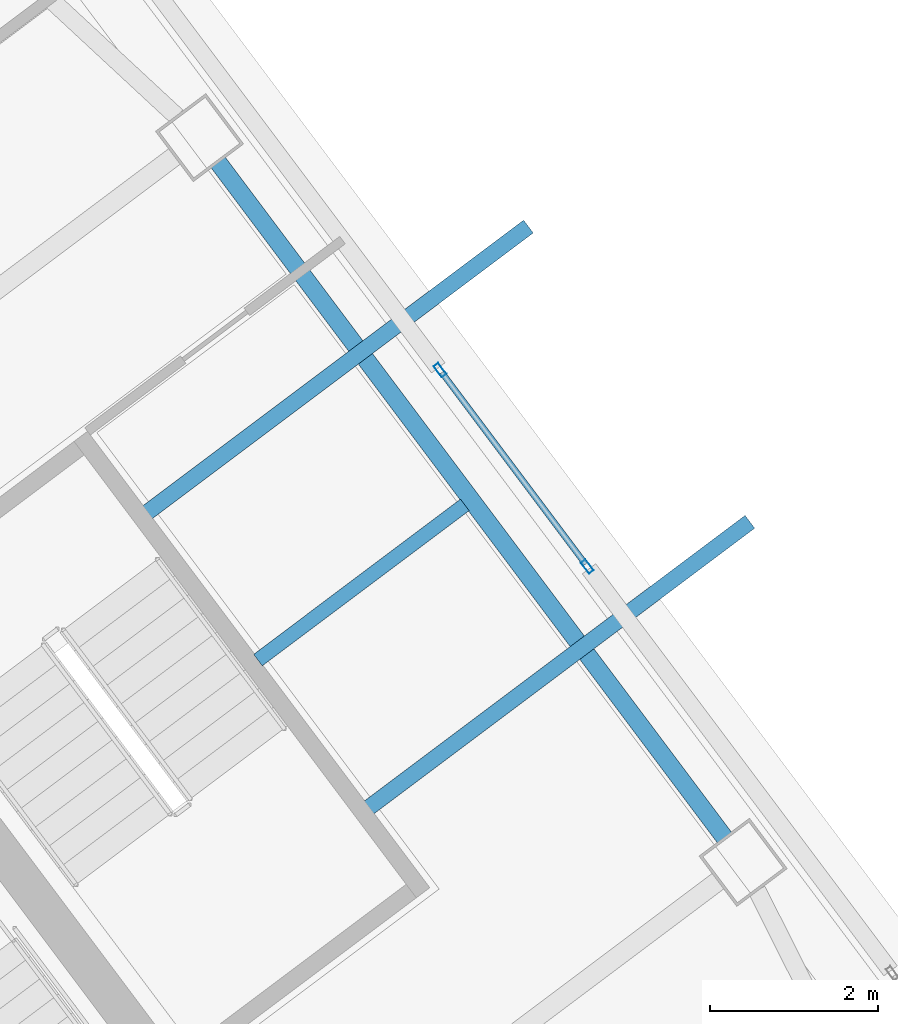
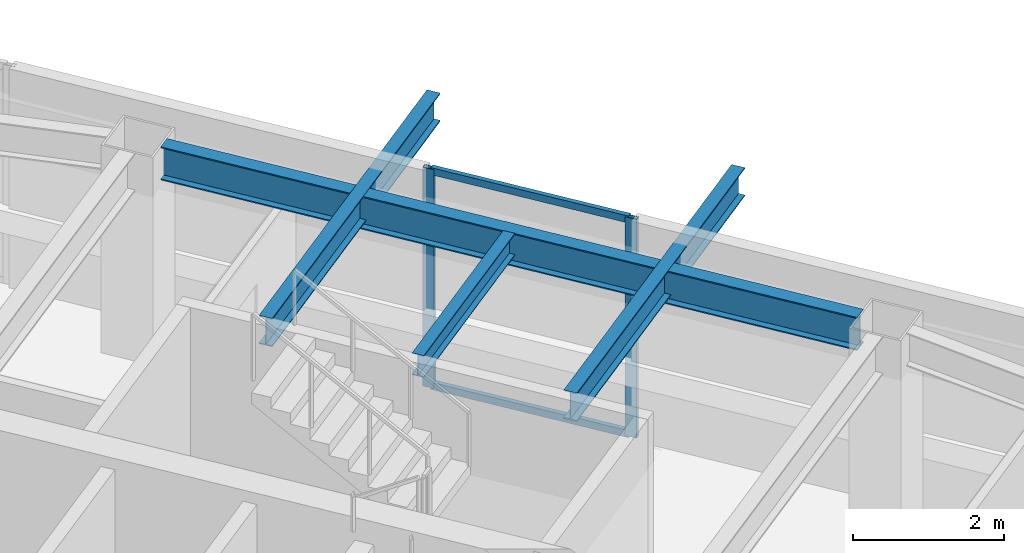
# One storey, part 28 of 44: 4 beams, 4 members, 1 element without a shape of its own.
"""IFC4 building model written with IfcOpenShell, lengths in metres."""

from ifc_helpers import new_model, si_unit, direction, frame, origin, origin_2d, place, context, subcontext, project, spatial, hollow_rectangle, i_section, extrude, material, material_profile, profile_set, type_object, element, aggregate, save


model = new_model("IFC4")

# Units and contexts
model_context = context("Model", 3, precision=1e-05, world=origin(), true_north=direction((0.0, 1.0)))
body_context = subcontext(model_context, "Body", "Model", "MODEL_VIEW")
ifc_project = project(units=[si_unit("LENGTHUNIT", "METRE"), si_unit("AREAUNIT", "SQUARE_METRE"), si_unit("VOLUMEUNIT", "CUBIC_METRE"), si_unit("PLANEANGLEUNIT", "RADIAN"), si_unit("MASSUNIT", "GRAM", prefix="KILO")], contexts=[model_context])

# Site, building, storey
site_placement = place(None, origin())
site = spatial("IfcSite", under=ifc_project, at=site_placement, CompositionType="ELEMENT")
building_placement = place(site_placement, origin())
building = spatial("IfcBuilding", under=site, at=building_placement, Name="Tashvorn Skyway Center", CompositionType="ELEMENT")
storey_placement = place(building_placement, frame((0.0, 0.0, 211.300048828125)))
storey = spatial("IfcBuildingStorey", under=building, at=storey_placement, Name="L57", CompositionType="ELEMENT", Elevation=211.300048828125)

# Beams
ifc_material_1 = material(Name="Steel ASTM A992 Grade 50", Category="steel")
ifc_material_profile_1 = material_profile(ifc_material_1, i_section(OverallWidth=0.1708984375, OverallDepth=0.35498046875, WebThickness=0.007080078125, FlangeThickness=0.01171875, at=origin_2d()), Name="W14X34")
ifc_profile_set_1 = profile_set([ifc_material_profile_1], Name="Steel ASTM A992 Grade 50")
beam_type_1 = type_object("IfcBeamType", Name="BM-JOIST-W14X34", PredefinedType="JOIST", material=ifc_profile_set_1)
beam_1_placement = place(storey_placement, frame((123.3359375, 39.001953125, 3.1923828125), z_axis=(0.799990496003, 0.600012671787, 0.0), x_axis=(-0.600012671787, 0.799990496003, 0.0)))
element("IfcBeam", 1, at=beam_1_placement, inside=storey, type_object=beam_type_1, Name="Tower 2 L57 Secondary Composite Joist JE", PredefinedType="JOIST", context=body_context, shape_type="SweptSolid", body=[
    extrude(i_section(OverallWidth=0.1708984375, OverallDepth=0.35498046875, WebThickness=0.007080078125, FlangeThickness=0.01171875, at=origin_2d()), origin(), (0.0, 0.0, 1.0), 3.08251953125),
])
ifc_material_profile_2 = material_profile(ifc_material_1, i_section(OverallWidth=0.19091796875, OverallDepth=0.4599609375, WebThickness=0.010009765625, FlangeThickness=0.01611328125, at=origin_2d()), Name="W18X55")
ifc_profile_set_2 = profile_set([ifc_material_profile_2], Name="Steel ASTM A992 Grade 50")
beam_type_2 = type_object("IfcBeamType", Name="BM-JOIST-W18X55", PredefinedType="JOIST", material=ifc_profile_set_2)
for number, where, z_axis, x_axis, name in (
    (2, (124.656005859375, 37.241943359375, 3.139892578125), (0.8, 0.6, 0.0), (-0.6, 0.8, 0.0), "Tower 2 L58 Terrace Cantilever Outlooker 1"),
    (3, (122.01611328125, 40.761962890625, 3.139892578125), (0.8, 0.6, 0.0), (-0.6, 0.8, 0.0), "Tower 2 L58 Terrace Cantilever Outlooker 2"),
):
    element("IfcBeam", number, at=place(storey_placement, frame(where, z_axis=z_axis, x_axis=x_axis)), inside=storey, type_object=beam_type_2, Name=name, PredefinedType="JOIST", context=body_context, shape_type="SweptSolid", body=[
        extrude(i_section(OverallWidth=0.19091796875, OverallDepth=0.4599609375, WebThickness=0.010009765625, FlangeThickness=0.01611328125, at=origin_2d()), origin(), (0.0, 0.0, 1.0), 5.679931640625),
    ])
ifc_material_profile_3 = material_profile(ifc_material_1, i_section(OverallWidth=0.2109375, OverallDepth=0.5390625, WebThickness=0.01171875, FlangeThickness=0.018798828125, at=origin_2d()), Name="W21X73")
ifc_profile_set_3 = profile_set([ifc_material_profile_3], Name="Steel ASTM A992 Grade 50")
beam_type_3 = type_object("IfcBeamType", Name="BM-SPANDREL-W21X73", PredefinedType="SPANDREL", material=ifc_profile_set_3)
beam_2_placement = place(storey_placement, frame((128.89794921875, 36.885986328125, 3.100341796875), z_axis=(-0.599988351091, 0.800008736549, 0.0), x_axis=(-0.800008736549, -0.599988351091, 0.0)))
element("IfcBeam", 4, at=beam_2_placement, inside=storey, type_object=beam_type_3, Name="Tower 2 L57 Spandrel Beam 05", PredefinedType="SPANDREL", context=body_context, shape_type="SweptSolid", body=[
    extrude(i_section(OverallWidth=0.2109375, OverallDepth=0.5390625, WebThickness=0.01171875, FlangeThickness=0.018798828125, at=origin_2d()), origin(), (0.0, 0.0, 1.0), 10.06005859375),
])

# Curtain wall, members
ifc_material_2 = material(Name="Thermally broken bronze-anodized aluminium 6063-T6", Category="aluminium")
curtain_wall_type = type_object("IfcCurtainWallType", Name="CW-CW-Z5", PredefinedType="NOTDEFINED", material=ifc_material_2)
curtain_wall_placement = place(storey_placement, origin())
curtain_wall = element("IfcCurtainWall", 5, at=curtain_wall_placement, inside=storey, type_object=curtain_wall_type, Name="Tower 2 L57 East Unitised Curtain Wall Glazing Group 2", PredefinedType="NOTDEFINED")
ifc_material_profile_4 = material_profile(ifc_material_2, hollow_rectangle(XDim=0.070068359375, YDim=0.1650390625, WallThickness=0.00390625, at=origin_2d()), Name="ALU-MULL-70x165")
ifc_profile_set_4 = profile_set([ifc_material_profile_4], Name="Thermally broken bronze-anodized aluminium 6063-T6")
member_type_1 = type_object("IfcMemberType", Name="CWM-CW-Z5", PredefinedType="MULLION", material=ifc_profile_set_4)
member_1_placement = place(storey_placement, frame((125.50634765625, 42.458251953125, 0.0), z_axis=(0.0, 0.0, 1.0), x_axis=(0.799983975999, 0.600021364741, 0.0)))
member_1 = element("IfcMember", 6, at=member_1_placement, type_object=member_type_1, Name="CW-Z5 mullion 1", PredefinedType="MULLION", context=body_context, shape_type="SweptSolid", body=[
    extrude(hollow_rectangle(XDim=0.070068359375, YDim=0.1650390625, WallThickness=0.00390625, at=origin_2d()), origin(), (0.0, 0.0, 1.0), 3.550048828125),
])
member_2_placement = place(storey_placement, frame((127.26171875, 40.117919921875, 0.0), z_axis=(0.0, 0.0, 1.0), x_axis=(0.799983975999, 0.600021364741, 0.0)))
member_2 = element("IfcMember", 7, at=member_2_placement, type_object=member_type_1, Name="CW-Z5 mullion 2", PredefinedType="MULLION", context=body_context, shape_type="SweptSolid", body=[
    extrude(hollow_rectangle(XDim=0.070068359375, YDim=0.1650390625, WallThickness=0.00390625, at=origin_2d()), origin(), (0.0, 0.0, 1.0), 3.550048828125),
])
ifc_material_profile_5 = material_profile(ifc_material_2, hollow_rectangle(XDim=0.070068359375, YDim=0.114990234375, WallThickness=0.00390625, at=origin_2d()), Name="ALU-TRAN-70x115")
ifc_profile_set_5 = profile_set([ifc_material_profile_5], Name="Thermally broken bronze-anodized aluminium 6063-T6")
member_type_2 = type_object("IfcMemberType", Name="CWT-CW-Z5", PredefinedType="USERDEFINED", material=ifc_profile_set_5)
member_3_placement = place(storey_placement, frame((125.52734375, 42.43017578125, 0.034912109375), z_axis=(0.600013679335, -0.799989740316, 0.0), x_axis=(0.799989740316, 0.600013679335, 0.0)))
member_3 = element("IfcMember", 8, at=member_3_placement, type_object=member_type_2, Name="CW-Z5 transom 1.1", ObjectType="TRANSOM", PredefinedType="USERDEFINED", context=body_context, shape_type="SweptSolid", body=[
    extrude(hollow_rectangle(XDim=0.070068359375, YDim=0.114990234375, WallThickness=0.00390625, at=origin_2d()), origin(), (0.0, 0.0, 1.0), 2.85546875),
])
member_4_placement = place(storey_placement, frame((125.52734375, 42.43017578125, 3.514892578125), z_axis=(0.600013679335, -0.799989740316, 0.0), x_axis=(0.799989740316, 0.600013679335, 0.0)))
member_4 = element("IfcMember", 9, at=member_4_placement, type_object=member_type_2, Name="CW-Z5 transom 1.2", ObjectType="TRANSOM", PredefinedType="USERDEFINED", context=body_context, shape_type="SweptSolid", body=[
    extrude(hollow_rectangle(XDim=0.070068359375, YDim=0.114990234375, WallThickness=0.00390625, at=origin_2d()), origin(), (0.0, 0.0, 1.0), 2.85546875),
])
aggregate(curtain_wall, [member_1, member_2, member_3, member_4])

save(model, "model.ifc")
